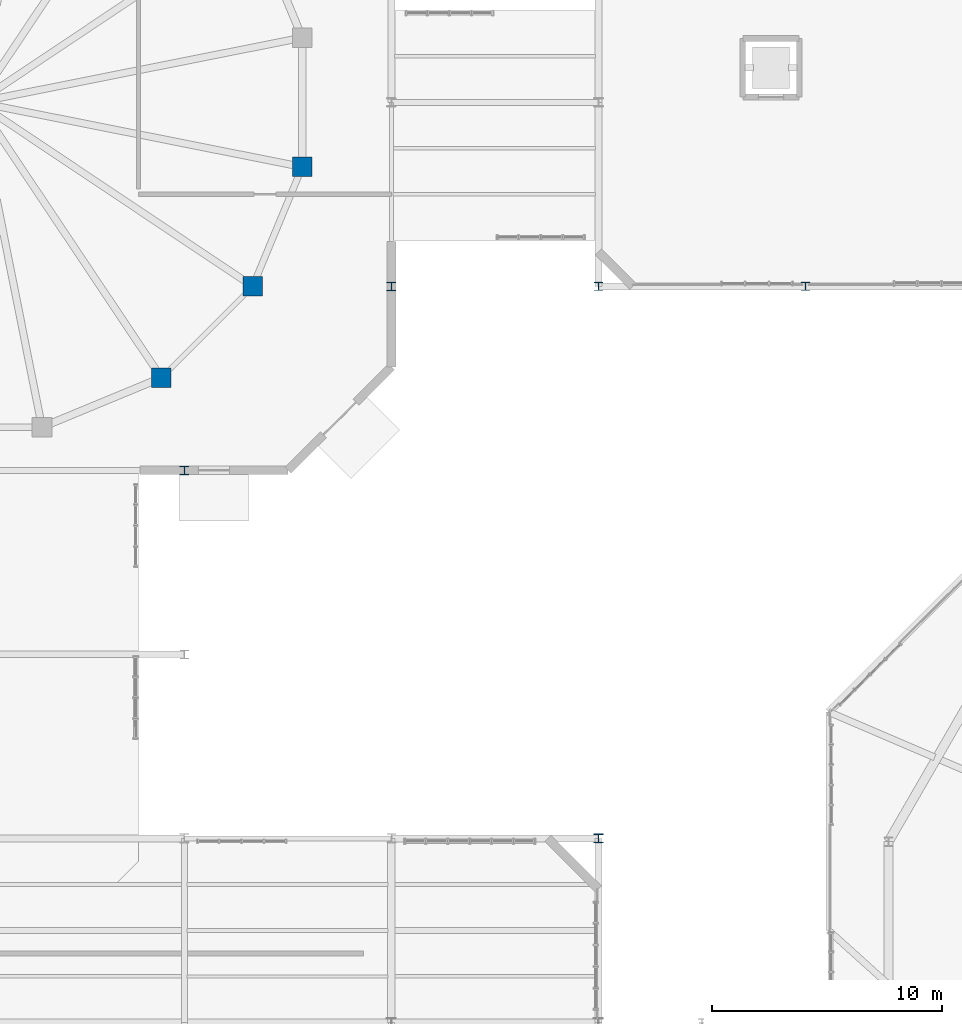
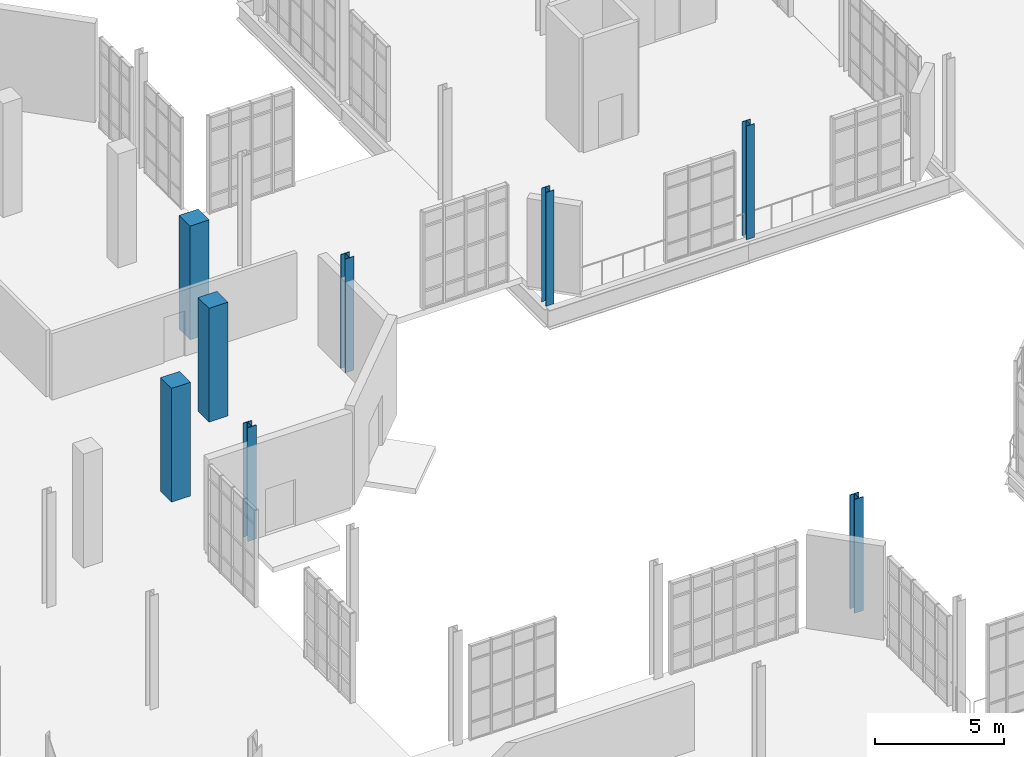
# One storey, part 4 of 189: 8 columns.
"""IFC4 building model written with IfcOpenShell, lengths in metres."""

import ifcopenshell
import ifcopenshell.guid

model = None  # the IFC model being written
_history = None  # IfcOwnerHistory: only IFC2X3 demands one
_inside = {}  # id of a spatial element -> (the spatial element, [elements in it])
_under = {}  # id of a project, library or spatial element -> (it, [spatial elements below it])
_declared = {}  # id of a project -> (the project, [libraries it declares])
_typed = {}  # id of a type object -> (the type object, [elements of that type])
_made_of = {}  # id of a material, layer set ... -> (it, [elements and type objects made of it])


def new_model(schema):
    """Start an empty IFC model of exactly this schema.

    Asked for "IFC4X3", IfcOpenShell would pick the latest addendum, in which some entities
    have other attributes; the version numbers below select the first issue.
    IFC2X3 requires an IfcOwnerHistory on every rooted entity: one is made here for all.
    """
    global model, _history
    if schema == "IFC4X3":
        model = ifcopenshell.file(schema_version=(4, 3, 0, 0))
    else:
        model = ifcopenshell.file(schema=schema)
    _inside.clear()
    _under.clear()
    _declared.clear()
    _typed.clear()
    _made_of.clear()
    _history = None
    if model.schema == "IFC2X3":
        org = make("IfcOrganization", Name="unknown")
        user = make(
            "IfcPersonAndOrganization",
            ThePerson=make("IfcPerson", FamilyName="unknown"),
            TheOrganization=org,
        )
        app = make(
            "IfcApplication",
            ApplicationDeveloper=org,
            Version="unknown",
            ApplicationFullName="unknown",
            ApplicationIdentifier="unknown",
        )
        _history = make(
            "IfcOwnerHistory",
            OwningUser=user,
            OwningApplication=app,
            ChangeAction="ADDED",
            CreationDate=0,
        )
    return model


def make(cls, **values):
    """One entity of the class cls with the attributes given. An attribute that is None is left unset."""
    return model.create_entity(
        cls, **{name: value for name, value in values.items() if value is not None}
    )


def rooted(cls, **values):
    """An entity with a GlobalId (a new one), such as an element, a storey or a relation."""
    return make(cls, GlobalId=ifcopenshell.guid.new(), OwnerHistory=_history, **values)


def si_unit(unit_type, name, prefix=None):
    """IfcSIUnit, for example si_unit("LENGTHUNIT", "METRE", prefix="MILLI")."""
    return make("IfcSIUnit", UnitType=unit_type, Prefix=prefix, Name=name)


def assignment(units):
    """IfcUnitAssignment: the units of a project."""
    return None if units is None else make("IfcUnitAssignment", Units=units)


def point(xyz):
    """IfcCartesianPoint."""
    return None if xyz is None else make("IfcCartesianPoint", Coordinates=xyz)


def direction(xyz):
    """IfcDirection."""
    return None if xyz is None else make("IfcDirection", DirectionRatios=xyz)


def frame(location, z_axis=None, x_axis=None):
    """IfcAxis2Placement3D, a coordinate frame: its origin and axes. An axis left out is left unset."""
    return make(
        "IfcAxis2Placement3D",
        Location=point(location),
        Axis=direction(z_axis),
        RefDirection=direction(x_axis),
    )


def frame_2d(location, x_axis=None):
    """IfcAxis2Placement2D, a coordinate frame in the plane: its origin and x axis."""
    return make(
        "IfcAxis2Placement2D", Location=point(location), RefDirection=direction(x_axis)
    )


def origin():
    """The frame at (0, 0, 0) with its axes left unset."""
    return frame((0.0, 0.0, 0.0))


def origin_2d():
    """The frame at (0, 0) in the plane with its x axis left unset."""
    return frame_2d((0.0, 0.0))


def place(relative_to, where):
    """IfcLocalPlacement: puts the frame where relative to a parent placement (None: the world)."""
    return make(
        "IfcLocalPlacement", PlacementRelTo=relative_to, RelativePlacement=where
    )


def context(
    kind, dimensions, precision=None, world=None, true_north=None, identifier=None
):
    """IfcGeometricRepresentationContext, for example the 3D "Model" context."""
    return make(
        "IfcGeometricRepresentationContext",
        ContextIdentifier=identifier,
        ContextType=kind,
        CoordinateSpaceDimension=dimensions,
        Precision=precision,
        WorldCoordinateSystem=world,
        TrueNorth=true_north,
    )


def subcontext(parent, identifier, kind, view, scale=None):
    """IfcGeometricRepresentationSubContext, for example "Body" below "Model"."""
    return make(
        "IfcGeometricRepresentationSubContext",
        ContextIdentifier=identifier,
        ContextType=kind,
        ParentContext=parent,
        TargetScale=scale,
        TargetView=view,
    )


def project(units=None, contexts=None):
    """IfcProject with its units and contexts."""
    return rooted(
        "IfcProject",
        Name="project",
        RepresentationContexts=contexts,
        UnitsInContext=assignment(units),
    )


def spatial(cls, under=None, at=None, **own):
    """A site, building, storey or space (cls), placed at a placement, below another one or the project."""
    s = rooted(cls, ObjectPlacement=at, **own)
    if under is not None:
        _under.setdefault(under.id(), (under, []))[1].append(s)
    return s


def profile(cls, at=None, kind="AREA", **sizes):
    """A parametric profile (cls). Its sizes go by their IFC names, for example OverallWidth=200.0."""
    return make(cls, ProfileType=kind, Position=at, **sizes)


def rectangle(**sizes):
    """IfcRectangleProfileDef."""
    return profile("IfcRectangleProfileDef", **sizes)


def i_section(**sizes):
    """IfcIShapeProfileDef."""
    return profile("IfcIShapeProfileDef", **sizes)


def extrude(swept, where, along, depth):
    """IfcExtrudedAreaSolid: the profile swept, set in the frame where, extruded along a direction by depth."""
    return make(
        "IfcExtrudedAreaSolid",
        SweptArea=swept,
        Position=where,
        ExtrudedDirection=direction(along),
        Depth=depth,
    )


def shape(context_of_items, identifier, shape_type, items):
    """IfcShapeRepresentation: the items that make up one representation, for example the "Body"."""
    return make(
        "IfcShapeRepresentation",
        ContextOfItems=context_of_items,
        RepresentationIdentifier=identifier,
        RepresentationType=shape_type,
        Items=items,
    )


def material(Name=None, Category=None):
    """IfcMaterial."""
    return make("IfcMaterial", Name=Name, Category=Category)


def material_profile(
    of_material, cross_section, Name=None, Category=None, Priority=None
):
    """IfcMaterialProfile: a cross section and its material."""
    return make(
        "IfcMaterialProfile",
        Name=Name,
        Material=of_material,
        Profile=cross_section,
        Priority=Priority,
        Category=Category,
    )


def profile_set(profiles, Name=None, composite=None):
    """IfcMaterialProfileSet."""
    return make(
        "IfcMaterialProfileSet",
        Name=Name,
        MaterialProfiles=profiles,
        CompositeProfile=composite,
    )


def made_of(thing, what):
    """Note that an element or type object is made of a material, layer set ...; save() writes the relation."""
    if what is not None:
        _made_of.setdefault(what.id(), (what, []))[1].append(thing)
    return thing


def type_object(cls, material=None, **own):
    """A type object (cls), such as IfcWallType, which elements share."""
    return made_of(rooted(cls, **own), material)


def element(
    cls,
    number,
    at=None,
    inside=None,
    cuts=None,
    type_object=None,
    material=None,
    context=None,
    identifier="Body",
    shape_type=None,
    held_by="IfcProductDefinitionShape",
    body=None,
    shapes=None,
    **own,
):
    """One element of the class cls, such as IfcWall. Its Tag is "e" and its number.

    at: its placement. inside: the storey or other place that contains it. cuts: it is an
    opening in that element (IfcRelVoidsElement). A single representation is given by context,
    identifier, shape_type and body (its items); several are given by shapes. held_by: the class
    of the entity that holds the representations. save() writes the other relations.
    """
    e = rooted(cls, Tag="e%d" % number, ObjectPlacement=at, **own)
    if body is not None:
        shapes = [shape(context, identifier, shape_type, body)]
    if shapes is not None:
        e.Representation = make(held_by, Representations=shapes)
    if inside is not None:
        _inside.setdefault(inside.id(), (inside, []))[1].append(e)
    if cuts is not None:
        rooted(
            "IfcRelVoidsElement", RelatingBuildingElement=cuts, RelatedOpeningElement=e
        )
    if type_object is not None:
        _typed.setdefault(type_object.id(), (type_object, []))[1].append(e)
    return made_of(e, material)


def aggregate(whole, parts):
    """IfcRelAggregates: a whole, such as a stair, and the parts it consists of."""
    return rooted("IfcRelAggregates", RelatingObject=whole, RelatedObjects=parts)


def save(model, path):
    """Write the relations noted so far, then the file.

    IfcRelAggregates (storeys below a building ...), IfcRelContainedInSpatialStructure (elements
    in a storey), IfcRelDefinesByType, IfcRelAssociatesMaterial and IfcRelDeclares: one each for
    every whole, place, type object, material and project.
    """
    for whole, parts in _under.values():
        aggregate(whole, parts)
    for where, things in _inside.values():
        rooted(
            "IfcRelContainedInSpatialStructure",
            RelatedElements=things,
            RelatingStructure=where,
        )
    for kind, things in _typed.values():
        rooted("IfcRelDefinesByType", RelatedObjects=things, RelatingType=kind)
    for what, things in _made_of.values():
        rooted("IfcRelAssociatesMaterial", RelatedObjects=things, RelatingMaterial=what)
    for by, libraries in _declared.values():
        rooted("IfcRelDeclares", RelatingContext=by, RelatedDefinitions=libraries)
    model.write(path)


model = new_model("IFC4")

# Units and contexts
model_context = context("Model", 3, precision=1e-05, world=origin(), true_north=direction((0.0, 1.0)))
body_context = subcontext(model_context, "Body", "Model", "MODEL_VIEW")
ifc_project = project(units=[si_unit("LENGTHUNIT", "METRE"), si_unit("AREAUNIT", "SQUARE_METRE"), si_unit("VOLUMEUNIT", "CUBIC_METRE"), si_unit("PLANEANGLEUNIT", "RADIAN"), si_unit("MASSUNIT", "GRAM", prefix="KILO"), si_unit("THERMODYNAMICTEMPERATUREUNIT", "KELVIN"), si_unit("POWERUNIT", "WATT")], contexts=[model_context])

# Site, building, storey
site_placement = place(None, origin())
site = spatial("IfcSite", under=ifc_project, at=site_placement, CompositionType="ELEMENT")
building_placement = place(site_placement, origin())
building = spatial("IfcBuilding", under=site, at=building_placement, Name="Zelmaris Science Centre", CompositionType="ELEMENT")
storey_placement = place(building_placement, origin())
storey = spatial("IfcBuildingStorey", under=building, at=storey_placement, Name="L00", CompositionType="ELEMENT", Elevation=0.0)

# Columns
ifc_material_1 = material(Name="Steel ASTM A992 Grade 50", Category="steel")
ifc_material_profile_1 = material_profile(ifc_material_1, i_section(OverallWidth=0.39892578125, OverallDepth=0.385986328125, WebThickness=0.02099609375, FlangeThickness=0.033203125, FilletRadius=0.014892578125, at=origin_2d()), Name="W14X176")
ifc_profile_set_1 = profile_set([ifc_material_profile_1], Name="Steel ASTM A992 Grade 50")
column_type_1 = type_object("IfcColumnType", Name="Column C-04 W14X176", PredefinedType="COLUMN", material=ifc_profile_set_1)
column_placement = place(storey_placement, frame((54.0, 40.0, 0.0), z_axis=(0.0, 0.0, 1.0), x_axis=(1.0, 0.0, 0.0)))
element("IfcColumn", 1, at=column_placement, inside=storey, type_object=column_type_1, Name="Column V3-P-54-40 L00", PredefinedType="COLUMN", context=body_context, shape_type="SweptSolid", body=[
    extrude(i_section(OverallWidth=0.39892578125, OverallDepth=0.385986328125, WebThickness=0.02099609375, FlangeThickness=0.033203125, FilletRadius=0.014892578125, at=origin_2d()), origin(), (0.0, 0.0, 1.0), 5.39990234375),
])
ifc_material_profile_2 = material_profile(ifc_material_1, i_section(OverallWidth=0.39404296875, OverallDepth=0.3759765625, WebThickness=0.017333984375, FlangeThickness=0.027587890625, FilletRadius=0.014892578125, at=origin_2d()), Name="W14X145")
ifc_profile_set_2 = profile_set([ifc_material_profile_2], Name="Steel ASTM A992 Grade 50")
column_type_2 = type_object("IfcColumnType", Name="Column C-05 W14X145", PredefinedType="COLUMN", material=ifc_profile_set_2)
for number, where, z_axis, x_axis, name in (
    (2, (36.0, 56.0, 0.0), (0.0, 0.0, 1.0), (1.0, 0.0, 0.0), "Column V1-PC03 L00"),
    (3, (45.0, 64.0, 0.0), (0.0, 0.0, 1.0), (1.0, 0.0, 0.0), "Column V1-PC10 L00"),
):
    element("IfcColumn", number, at=place(storey_placement, frame(where, z_axis=z_axis, x_axis=x_axis)), inside=storey, type_object=column_type_2, Name=name, PredefinedType="COLUMN", context=body_context, shape_type="SweptSolid", body=[
        extrude(i_section(OverallWidth=0.39404296875, OverallDepth=0.3759765625, WebThickness=0.017333984375, FlangeThickness=0.027587890625, FilletRadius=0.014892578125, at=origin_2d()), origin(), (0.0, 0.0, 1.0), 5.39990234375),
    ])
ifc_material_profile_3 = material_profile(ifc_material_1, i_section(OverallWidth=0.367919921875, OverallDepth=0.35595703125, WebThickness=0.01123046875, FlangeThickness=0.01806640625, FilletRadius=0.014892578125, at=origin_2d()), Name="W14X90")
ifc_profile_set_3 = profile_set([ifc_material_profile_3], Name="Steel ASTM A992 Grade 50")
column_type_3 = type_object("IfcColumnType", Name="Column C-07 W14X90", PredefinedType="COLUMN", material=ifc_profile_set_3)
for number, where, z_axis, x_axis, name in (
    (4, (54.0, 64.0, 0.0), (0.0, 0.0, 1.0), (1.0, 0.0, 0.0), "Column V5-C-54-64 L00"),
    (5, (63.0, 64.0, 0.0), (0.0, 0.0, 1.0), (1.0, 0.0, 0.0), "Column V5-C-63-64 L00"),
):
    element("IfcColumn", number, at=place(storey_placement, frame(where, z_axis=z_axis, x_axis=x_axis)), inside=storey, type_object=column_type_3, Name=name, PredefinedType="COLUMN", context=body_context, shape_type="SweptSolid", body=[
        extrude(i_section(OverallWidth=0.367919921875, OverallDepth=0.35595703125, WebThickness=0.01123046875, FlangeThickness=0.01806640625, FilletRadius=0.014892578125, at=origin_2d()), origin(), (0.0, 0.0, 1.0), 5.39990234375),
    ])
ifc_material_2 = material(Name="Concrete C40/50", Category="concrete")
ifc_material_profile_4 = material_profile(ifc_material_2, rectangle(XDim=0.85009765625, YDim=0.85009765625, at=origin_2d()), Name="RC-COL-850X850")
ifc_profile_set_4 = profile_set([ifc_material_profile_4], Name="Concrete C40/50")
column_type_4 = type_object("IfcColumnType", Name="Column C-14 RC-COL-850X850", PredefinedType="COLUMN", material=ifc_profile_set_4)
for number, where, z_axis, x_axis, name in (
    (6, (35.000244140625, 60.02685546875, 0.0), (0.0, 0.0, 1.0), (1.0, 0.0, 0.0), "Column V1-DC14 L00"),
    (7, (38.97314453125, 63.999755859375, 0.0), (0.0, 0.0, 1.0), (1.0, 0.0, 0.0), "Column V1-DC15 L00"),
    (8, (41.123291015625, 69.190673828125, 0.0), (0.0, 0.0, 1.0), (1.0, 0.0, 0.0), "Column V1-DC16 L00"),
):
    element("IfcColumn", number, at=place(storey_placement, frame(where, z_axis=z_axis, x_axis=x_axis)), inside=storey, type_object=column_type_4, Name=name, PredefinedType="COLUMN", context=body_context, shape_type="SweptSolid", body=[
        extrude(rectangle(XDim=0.85009765625, YDim=0.85009765625, at=origin_2d()), origin(), (0.0, 0.0, 1.0), 5.39990234375),
    ])

save(model, "model.ifc")
